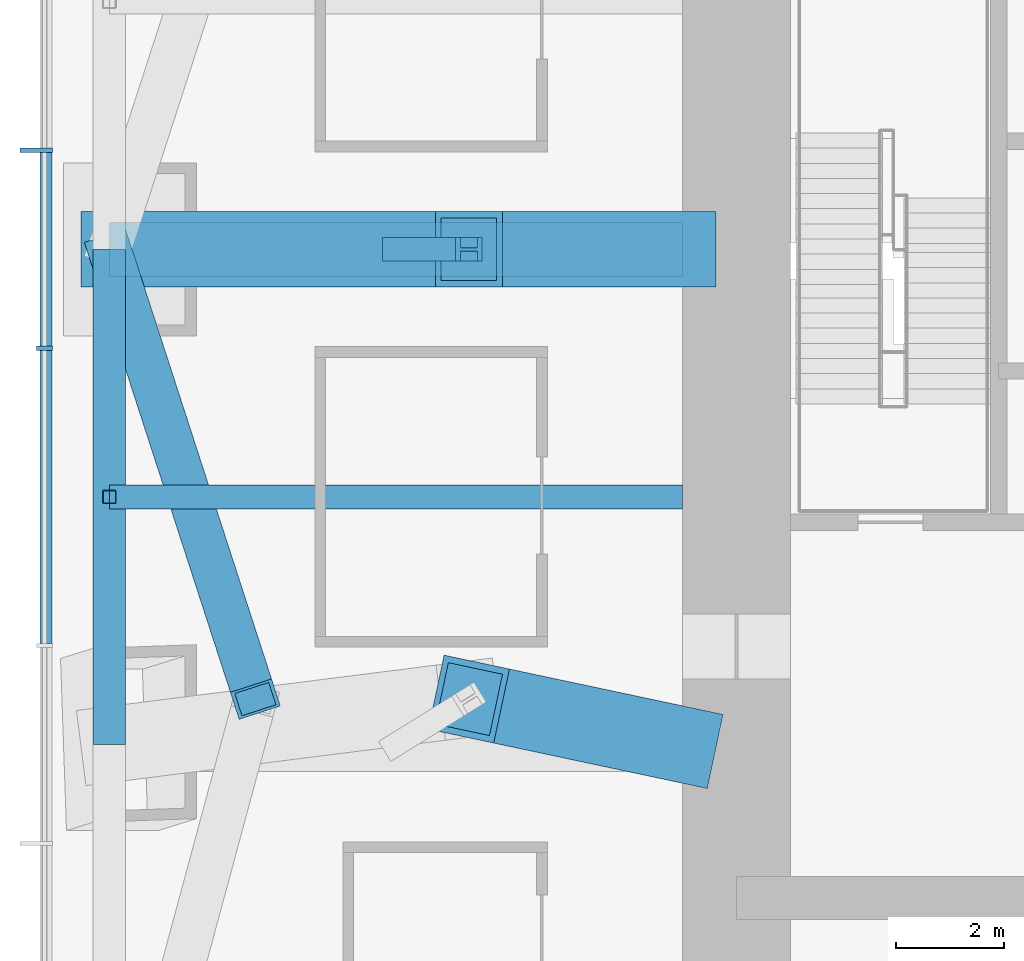
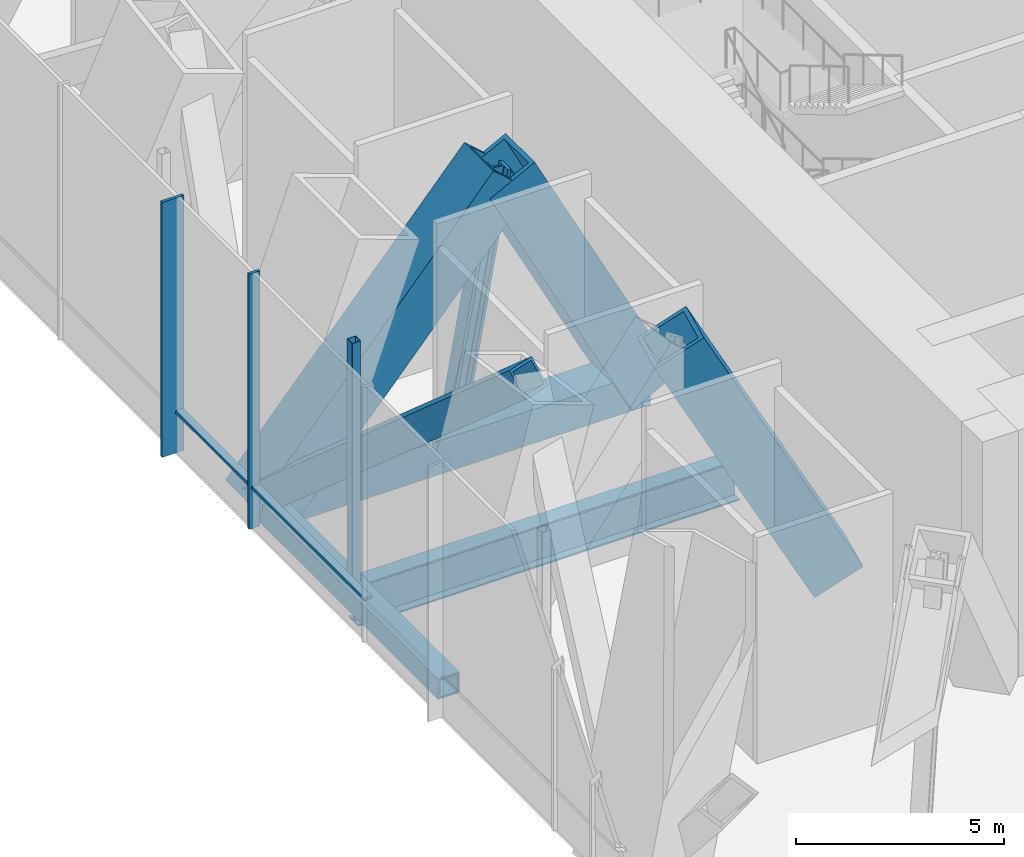
# One storey, part 3 of 16: 12 members, 1 beam, 1 element without a shape of its own.
"""IFC4 building model written with IfcOpenShell, lengths in metres."""

from ifc_helpers import new_model, si_unit, direction, frame, origin, origin_2d, place, context, subcontext, project, spatial, rectangle, hollow_rectangle, i_section, extrude, material, material_profile, profile_set, type_object, element, aggregate, save


model = new_model("IFC4")

# Units and contexts
model_context = context("Model", 3, precision=1e-05, world=origin(), true_north=direction((0.0, 1.0)))
body_context = subcontext(model_context, "Body", "Model", "MODEL_VIEW")
ifc_project = project(units=[si_unit("LENGTHUNIT", "METRE"), si_unit("AREAUNIT", "SQUARE_METRE"), si_unit("VOLUMEUNIT", "CUBIC_METRE"), si_unit("PLANEANGLEUNIT", "RADIAN"), si_unit("MASSUNIT", "GRAM", prefix="KILO")], contexts=[model_context])

# Site, building, storey
site_placement = place(None, origin())
site = spatial("IfcSite", under=ifc_project, at=site_placement, CompositionType="ELEMENT")
building_placement = place(site_placement, origin())
building = spatial("IfcBuilding", under=site, at=building_placement, Name="Khuree Lantern Residences", CompositionType="ELEMENT")
storey_placement = place(building_placement, frame((0.0, 0.0, 192.0)))
storey = spatial("IfcBuildingStorey", under=building, at=storey_placement, Name="L48", CompositionType="ELEMENT", Elevation=192.0)

# Beam
ifc_material_1 = material(Name="Steel S355", Category="steel")
ifc_material_profile_1 = material_profile(ifc_material_1, i_section(OverallWidth=0.449951171875, OverallDepth=1.199951171875, WebThickness=0.02490234375, FlangeThickness=0.044921875, at=origin_2d()), Name="WELDED I 1200X450X25X45")
ifc_profile_set_1 = profile_set([ifc_material_profile_1], Name="Steel S355")
beam_type = type_object("IfcBeamType", Name="B-48 SECONDARY BEAM WELDED I 1200X450X25X45", PredefinedType="BEAM", material=ifc_profile_set_1)
beam_placement = place(storey_placement, frame((-27.10009765625, -4.580078125, -0.949951171875), z_axis=(1.0, 0.0, 0.0), x_axis=(0.0, 1.0, 0.0)))
element("IfcBeam", 1, at=beam_placement, inside=storey, type_object=beam_type, Name="Secondary beam W3", PredefinedType="BEAM", context=body_context, shape_type="SweptSolid", body=[
    extrude(i_section(OverallWidth=0.449951171875, OverallDepth=1.199951171875, WebThickness=0.02490234375, FlangeThickness=0.044921875, at=origin_2d()), origin(), (0.0, 0.0, 1.0), 10.60009765625),
])

# Members
ifc_material_profile_2 = material_profile(ifc_material_1, hollow_rectangle(XDim=0.800048828125, YDim=0.800048828125, WallThickness=0.070068359375, at=origin_2d()), Name="WELDED BOX 800X800X70")
ifc_profile_set_2 = profile_set([ifc_material_profile_2], Name="Steel S355")
member_type_1 = type_object("IfcMemberType", Name="BD-48 BELT TRUSS DIAGONAL WELDED BOX 800X800X70", PredefinedType="BRACE", material=ifc_profile_set_2)
member_1_placement = place(storey_placement, frame((-24.39990234375, -8.320068359375, 6.949951171875), z_axis=(-0.233024646962, 0.718015094379, -0.655861142432), x_axis=(-0.951162589374, -0.308690344156, 0.0)))
element("IfcMember", 2, at=member_1_placement, inside=storey, type_object=member_type_1, Name="Belt truss diagonal W3", PredefinedType="BRACE", context=body_context, shape_type="SweptSolid", body=[
    extrude(hollow_rectangle(XDim=0.800048828125, YDim=0.800048828125, WallThickness=0.070068359375, at=origin_2d()), origin(), (0.0, 0.0, 1.0), 11.587646484375),
])
ifc_material_profile_3 = material_profile(ifc_material_1, hollow_rectangle(XDim=0.60009765625, YDim=0.60009765625, WallThickness=0.050048828125, at=origin_2d()), Name="WELDED BOX 600X600X50")
ifc_profile_set_3 = profile_set([ifc_material_profile_3], Name="Steel S355")
member_type_2 = type_object("IfcMemberType", Name="BT-48 BELT TRUSS CHORD WELDED BOX 600X600X50", PredefinedType="CHORD", material=ifc_profile_set_3)
member_2_placement = place(storey_placement, frame((-27.10009765625, -9.159912109375, -0.64990234375), z_axis=(0.0, 1.0, 0.0), x_axis=(-1.0, 0.0, 0.0)))
element("IfcMember", 3, at=member_2_placement, inside=storey, type_object=member_type_2, Name="Belt truss chord W3", PredefinedType="CHORD", context=body_context, shape_type="SweptSolid", body=[
    extrude(hollow_rectangle(XDim=0.60009765625, YDim=0.60009765625, WallThickness=0.050048828125, at=origin_2d()), origin(), (0.0, 0.0, 1.0), 9.159912109375),
])

# Curtain wall, members
ifc_material_2 = material(Name="Bronze anodised aluminium", Category="aluminium")
curtain_wall_type = type_object("IfcCurtainWallType", Name="CW-G PLANT STOREY LOUVRED CURTAIN WALL", PredefinedType="USERDEFINED", material=ifc_material_2)
curtain_wall_placement = place(storey_placement, origin())
curtain_wall = element("IfcCurtainWall", 4, at=curtain_wall_placement, inside=storey, type_object=curtain_wall_type, Name="L48 WEST FACE CURTAIN WALL", ObjectType="Louvred curtain wall", PredefinedType="USERDEFINED")
ifc_material_profile_4 = material_profile(ifc_material_2, rectangle(XDim=0.080078125, YDim=0.60009765625, at=origin_2d()), Name="F2 80X600")
ifc_profile_set_4 = profile_set([ifc_material_profile_4], Name="Bronze anodised aluminium")
member_type_3 = type_object("IfcMemberType", Name="F2 BRONZE FIN MULLION PLANT 80X600", PredefinedType="MULLION", material=ifc_profile_set_4)
member_3_placement = place(storey_placement, frame((-28.449951171875, 1.83203125, 0.0), z_axis=(0.0, 0.0, 1.0), x_axis=(0.0, -1.0, 0.0)))
member_3 = element("IfcMember", 5, at=member_3_placement, type_object=member_type_3, Name="L48 WEST FACE FIN MULLION 37", PredefinedType="MULLION", context=body_context, shape_type="SweptSolid", body=[
    extrude(rectangle(XDim=0.080078125, YDim=0.60009765625, at=origin_2d()), origin(), (0.0, 0.0, 1.0), 7.5),
])
ifc_material_profile_5 = material_profile(ifc_material_2, rectangle(XDim=0.080078125, YDim=0.300048828125, at=origin_2d()), Name="M2 80X300")
ifc_profile_set_5 = profile_set([ifc_material_profile_5], Name="Bronze anodised aluminium")
member_type_4 = type_object("IfcMemberType", Name="MULLION M2 PLANT 80X300", PredefinedType="MULLION", material=ifc_profile_set_5)
member_4_placement = place(storey_placement, frame((-28.300048828125, -1.83203125, 0.0), z_axis=(0.0, 0.0, 1.0), x_axis=(0.0, -1.0, 0.0)))
member_4 = element("IfcMember", 6, at=member_4_placement, type_object=member_type_4, Name="L48 WEST FACE MULLION 38", PredefinedType="MULLION", context=body_context, shape_type="SweptSolid", body=[
    extrude(rectangle(XDim=0.080078125, YDim=0.300048828125, at=origin_2d()), origin(), (0.0, 0.0, 1.0), 7.5),
])

# Members
ifc_material_profile_6 = material_profile(ifc_material_1, hollow_rectangle(XDim=1.39990234375, YDim=1.39990234375, WallThickness=0.1201171875, at=origin_2d()), Name="WELDED BOX 1400X1400X120")
ifc_profile_set_6 = profile_set([ifc_material_profile_6], Name="Steel S355")
member_type_5 = type_object("IfcMemberType", Name="OD-48 OUTRIGGER TRUSS DIAGONAL WELDED BOX 1400X1400X120", PredefinedType="BRACE", material=ifc_profile_set_6)
member_5_placement = place(storey_placement, frame((-16.5, -9.159912109375, -0.85009765625), z_axis=(-0.45895877057, 0.097584410085, 0.883082176145), x_axis=(-0.20797227522, -0.97813472116, 0.0)))
element("IfcMember", 7, at=member_5_placement, inside=storey, type_object=member_type_5, Name="Outrigger diagonal W2 core side", PredefinedType="BRACE", context=body_context, shape_type="SweptSolid", body=[
    extrude(hollow_rectangle(XDim=1.39990234375, YDim=1.39990234375, WallThickness=0.1201171875, at=origin_2d()), origin(), (0.0, 0.0, 1.0), 8.6064453125),
])
member_6_placement = place(storey_placement, frame((-16.5, 0.0, -0.85009765625), z_axis=(-0.46115976999, 0.0, 0.887317117238), x_axis=(0.0, -1.0, 0.0)))
element("IfcMember", 8, at=member_6_placement, inside=storey, type_object=member_type_5, Name="Outrigger diagonal W3 core side", PredefinedType="BRACE", context=body_context, shape_type="SweptSolid", body=[
    extrude(hollow_rectangle(XDim=1.39990234375, YDim=1.39990234375, WallThickness=0.1201171875, at=origin_2d()), origin(), (0.0, 0.0, 1.0), 8.565185546875),
])
member_7_placement = place(storey_placement, frame((-20.449951171875, 0.0, 6.75), z_axis=(-0.658508030898, 0.0, -0.752573699543), x_axis=(0.0, -1.0, 0.0)))
element("IfcMember", 9, at=member_7_placement, inside=storey, type_object=member_type_5, Name="Outrigger diagonal W3 column side", PredefinedType="BRACE", context=body_context, shape_type="SweptSolid", body=[
    extrude(hollow_rectangle(XDim=1.39990234375, YDim=1.39990234375, WallThickness=0.1201171875, at=origin_2d()), origin(), (0.0, 0.0, 1.0), 10.098876953125),
])
ifc_material_profile_7 = material_profile(ifc_material_1, i_section(OverallWidth=0.431884765625, OverallDepth=0.498046875, WebThickness=0.0556640625, FlangeThickness=0.0888671875, FilletRadius=0.014892578125, at=origin_2d()), Name="HD 400X744")
ifc_profile_set_7 = profile_set([ifc_material_profile_7], Name="Steel S355")
member_type_6 = type_object("IfcMemberType", Name="OP-48 OUTRIGGER TRUSS POST HD 400X744", PredefinedType="POST", material=ifc_profile_set_7)
member_8_placement = place(storey_placement, frame((-21.800048828125, 0.0, -0.85009765625), z_axis=(0.174903883222, 0.0, 0.984585512606), x_axis=(0.0, 1.0, 0.0)))
element("IfcMember", 10, at=member_8_placement, inside=storey, type_object=member_type_6, Name="Outrigger post W3", PredefinedType="POST", context=body_context, shape_type="SweptSolid", body=[
    extrude(i_section(OverallWidth=0.431884765625, OverallDepth=0.498046875, WebThickness=0.0556640625, FlangeThickness=0.0888671875, FilletRadius=0.014892578125, at=origin_2d()), origin(), (0.0, 0.0, 1.0), 7.718994140625),
])
ifc_material_profile_8 = material_profile(ifc_material_1, hollow_rectangle(XDim=1.0, YDim=1.0, WallThickness=0.080078125, at=origin_2d()), Name="WELDED BOX 1000X1000X80")
ifc_profile_set_8 = profile_set([ifc_material_profile_8], Name="Steel S355")
member_type_7 = type_object("IfcMemberType", Name="OT-48 OUTRIGGER TRUSS CHORD WELDED BOX 1000X1000X80", PredefinedType="CHORD", material=ifc_profile_set_8)
member_9_placement = place(storey_placement, frame((-27.10009765625, 0.0, -0.85009765625), z_axis=(1.0, 0.0, 0.0), x_axis=(0.0, 1.0, 0.0)))
element("IfcMember", 11, at=member_9_placement, inside=storey, type_object=member_type_7, Name="Outrigger chord W3", PredefinedType="CHORD", context=body_context, shape_type="SweptSolid", body=[
    extrude(hollow_rectangle(XDim=1.0, YDim=1.0, WallThickness=0.080078125, at=origin_2d()), origin(), (0.0, 0.0, 1.0), 10.60009765625),
])
ifc_material_profile_9 = material_profile(ifc_material_1, hollow_rectangle(XDim=0.25, YDim=0.25, WallThickness=0.012451171875, InnerFilletRadius=0.012451171875, OuterFilletRadius=0.018798828125, at=origin_2d()), Name="SHS 250X250X12.5")
ifc_profile_set_9 = profile_set([ifc_material_profile_9], Name="Steel S355")
member_type_8 = type_object("IfcMemberType", Name="TP1 TERRACE POST SHS 250X250X12.5", PredefinedType="POST", material=ifc_profile_set_9)
member_10_placement = place(storey_placement, frame((-27.10009765625, -4.580078125, -0.35009765625), z_axis=(0.0, 0.0, 1.0), x_axis=(1.0, 0.0, 0.0)))
element("IfcMember", 12, at=member_10_placement, inside=storey, type_object=member_type_8, Name="Terrace post W3", PredefinedType="POST", context=body_context, shape_type="SweptSolid", body=[
    extrude(hollow_rectangle(XDim=0.25, YDim=0.25, WallThickness=0.012451171875, InnerFilletRadius=0.012451171875, OuterFilletRadius=0.018798828125, at=origin_2d()), origin(), (0.0, 0.0, 1.0), 7.10009765625),
])

# Member
ifc_material_profile_10 = material_profile(ifc_material_2, rectangle(XDim=0.219970703125, YDim=0.080078125, at=origin_2d()), Name="T2 220X80")
ifc_profile_set_10 = profile_set([ifc_material_profile_10], Name="Bronze anodised aluminium")
member_type_9 = type_object("IfcMemberType", Name="TRANSOM T2 PLANT 220X80", PredefinedType="USERDEFINED", material=ifc_profile_set_10)
member_11_placement = place(storey_placement, frame((-28.27001953125, 1.7919921875, 1.199951171875), z_axis=(0.0, -1.0, 0.0), x_axis=(1.0, 0.0, 0.0)))
member_11 = element("IfcMember", 13, at=member_11_placement, type_object=member_type_9, Name="L48 WEST FACE TRANSOM 37.1", ObjectType="Transom", PredefinedType="USERDEFINED", context=body_context, shape_type="SweptSolid", body=[
    extrude(rectangle(XDim=0.219970703125, YDim=0.080078125, at=origin_2d()), origin(), (0.0, 0.0, 1.0), 3.583984375),
])

member_12_placement = place(storey_placement, frame((-28.27001953125, -1.8720703125, 1.199951171875), z_axis=(0.0, -1.0, 0.0), x_axis=(1.0, 0.0, 0.0)))
member_12 = element("IfcMember", 14, at=member_12_placement, type_object=member_type_9, Name="L48 WEST FACE TRANSOM 38.1", ObjectType="Transom", PredefinedType="USERDEFINED", context=body_context, shape_type="SweptSolid", body=[
    extrude(rectangle(XDim=0.219970703125, YDim=0.080078125, at=origin_2d()), origin(), (0.0, 0.0, 1.0), 5.416015625),
])

aggregate(curtain_wall, [member_3, member_4, member_11, member_12])

save(model, "model.ifc")
